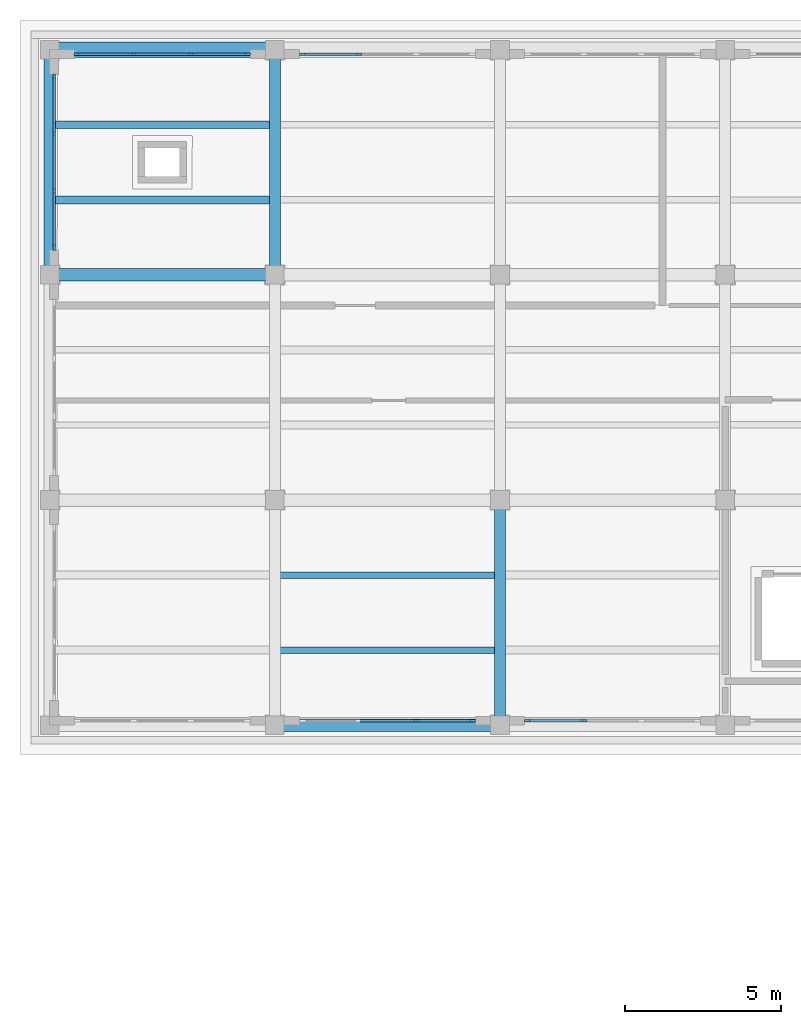
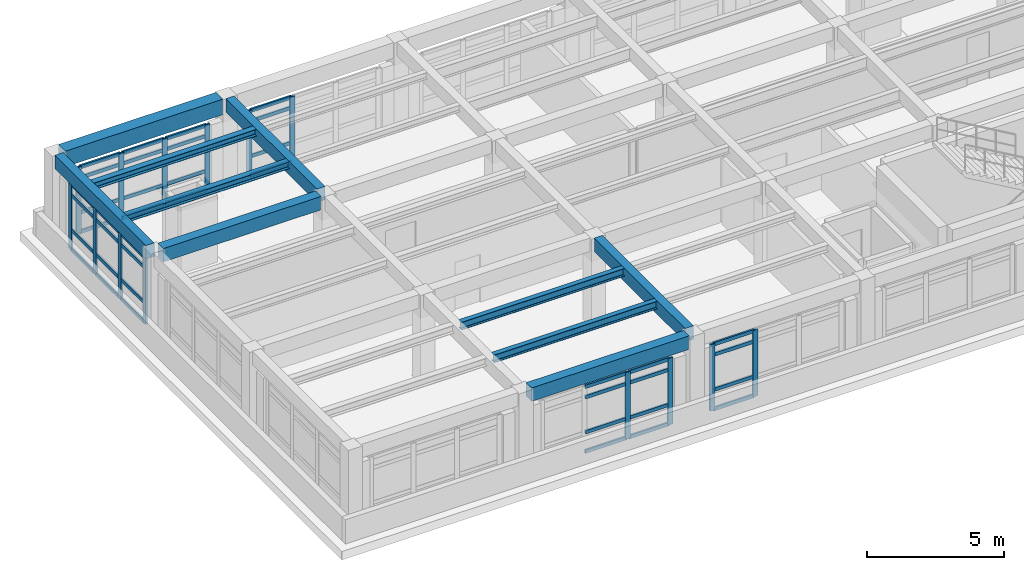
# One storey, part 3 of 19: 54 members, 10 beams, 5 elements without a shape of their own.
"""IFC4 building model written with IfcOpenShell, lengths in metres."""

from ifc_helpers import new_model, si_unit, direction, frame, origin, origin_2d, place, context, subcontext, project, spatial, rectangle, i_section, extrude, material, layer, layer_set, material_profile, profile_set, type_object, element, aggregate, save


model = new_model("IFC4")

# Units and contexts
model_context = context("Model", 3, precision=1e-05, world=origin(), true_north=direction((0.0, 1.0)))
body_context = subcontext(model_context, "Body", "Model", "MODEL_VIEW")
ifc_project = project(units=[si_unit("LENGTHUNIT", "METRE"), si_unit("AREAUNIT", "SQUARE_METRE"), si_unit("VOLUMEUNIT", "CUBIC_METRE"), si_unit("PLANEANGLEUNIT", "RADIAN"), si_unit("MASSUNIT", "GRAM", prefix="KILO")], contexts=[model_context])

# Site, building, storey
site_placement = place(None, origin())
site = spatial("IfcSite", under=ifc_project, at=site_placement, CompositionType="ELEMENT")
building_placement = place(site_placement, origin())
building = spatial("IfcBuilding", under=site, at=building_placement, Name="Solenvale Faculty of Natural Sciences", CompositionType="ELEMENT")
storey_placement = place(building_placement, frame((0.0, 0.0, 27.0)))
storey = spatial("IfcBuildingStorey", under=building, at=storey_placement, Name="L06", CompositionType="ELEMENT", Elevation=27.0)

# Beams
ifc_material_1 = material(Name="Concrete 40 MPa", Category="concrete")
ifc_material_profile_1 = material_profile(ifc_material_1, rectangle(XDim=0.35009765625, YDim=0.60009765625, at=origin_2d()), Name="RC-BM-350x600")
ifc_profile_set_1 = profile_set([ifc_material_profile_1], Name="Concrete 40 MPa")
beam_type_1 = type_object("IfcBeamType", Name="BM-RC-350x600", PredefinedType="BEAM", material=ifc_profile_set_1)
for number, where, z_axis, x_axis, name in (
    (1, (79.199951171875, 108.280029296875, 3.6201171875), (0.0, 1.0, 0.0), (-1.0, 0.0, 0.0), "L06 Y-Girder X79.2 (108.0..115.2)"),
    (2, (86.39990234375, 108.280029296875, 3.6201171875), (0.0, 1.0, 0.0), (-1.0, 0.0, 0.0), "L06 Y-Girder X86.4 (108.0..115.2)"),
):
    element("IfcBeam", number, at=place(storey_placement, frame(where, z_axis=z_axis, x_axis=x_axis)), inside=storey, type_object=beam_type_1, Name=name, PredefinedType="BEAM", context=body_context, shape_type="SweptSolid", body=[
        extrude(rectangle(XDim=0.35009765625, YDim=0.60009765625, at=origin_2d()), origin(), (0.0, 0.0, 1.0), 6.639892578125),
    ])
beam_1_placement = place(storey_placement, frame((93.60009765625, 93.8798828125, 3.6201171875), z_axis=(0.0, 1.0, 0.0), x_axis=(-1.0, 0.0, 0.0)))
element("IfcBeam", 3, at=beam_1_placement, inside=storey, type_object=beam_type_1, Name="L06 Y-Girder X93.6 (93.6..100.8)", PredefinedType="BEAM", context=body_context, shape_type="SweptSolid", body=[
    extrude(rectangle(XDim=0.35009765625, YDim=0.60009765625, at=origin_2d()), origin(), (0.0, 0.0, 1.0), 6.64013671875),
])
ifc_material_profile_2 = material_profile(ifc_material_1, rectangle(XDim=0.39990234375, YDim=0.60009765625, at=origin_2d()), Name="RC-BM-400x600")
ifc_profile_set_2 = profile_set([ifc_material_profile_2], Name="Concrete 40 MPa")
beam_type_2 = type_object("IfcBeamType", Name="BM-RC-400x600", PredefinedType="BEAM", material=ifc_profile_set_2)
for number, where, z_axis, x_axis, name in (
    (4, (86.679931640625, 93.60009765625, 3.6201171875), (1.0, 0.0, 0.0), (0.0, 1.0, 0.0), "L06 X-Girder Y93.6 (86.4..93.6)"),
    (5, (79.47998046875, 108.0, 3.6201171875), (1.0, 0.0, 0.0), (0.0, 1.0, 0.0), "L06 X-Girder Y108.0 (79.2..86.4)"),
):
    element("IfcBeam", number, at=place(storey_placement, frame(where, z_axis=z_axis, x_axis=x_axis)), inside=storey, type_object=beam_type_2, Name=name, PredefinedType="BEAM", context=body_context, shape_type="SweptSolid", body=[
        extrude(rectangle(XDim=0.39990234375, YDim=0.60009765625, at=origin_2d()), origin(), (0.0, 0.0, 1.0), 6.64013671875),
    ])
ifc_material_2 = material(Name="Precast concrete 40 MPa", Category="concrete")
ifc_material_profile_3 = material_profile(ifc_material_2, rectangle(XDim=0.5, YDim=0.699951171875, at=origin_2d()), Name="RC-BM-500x700")
ifc_profile_set_3 = profile_set([ifc_material_profile_3], Name="Precast concrete 40 MPa")
beam_type_3 = type_object("IfcBeamType", Name="BM-SPN-PRC-700", PredefinedType="SPANDREL", material=ifc_profile_set_3)
beam_2_placement = place(storey_placement, frame((79.47998046875, 115.199951171875, 3.570068359375), z_axis=(1.0, 0.0, 0.0), x_axis=(0.0, 1.0, 0.0)))
element("IfcBeam", 6, at=beam_2_placement, inside=storey, type_object=beam_type_3, Name="L06 X-Girder Y115.2 (79.2..86.4)", PredefinedType="SPANDREL", context=body_context, shape_type="SweptSolid", body=[
    extrude(rectangle(XDim=0.5, YDim=0.699951171875, at=origin_2d()), origin(), (0.0, 0.0, 1.0), 6.64013671875),
])
ifc_material_3 = material(Name="Steel S355", Category="steel")
ifc_material_profile_4 = material_profile(ifc_material_3, i_section(OverallWidth=0.25390625, OverallDepth=0.305908203125, WebThickness=0.0087890625, FlangeThickness=0.0146484375, FilletRadius=0.014892578125, at=origin_2d()), Name="W310x79")
ifc_profile_set_4 = profile_set([ifc_material_profile_4], Name="Steel S355")
beam_type_4 = type_object("IfcBeamType", Name="BM-STL-W310x79", PredefinedType="JOIST", material=ifc_profile_set_4)
for number, where, z_axis, x_axis, name in (
    (7, (79.35498046875, 110.39990234375, 3.76708984375), (1.0, 0.0, 0.0), (0.0, 1.0, 0.0), "L06 Composite Floor Joist (12,16).1"),
    (8, (79.35498046875, 112.800048828125, 3.76708984375), (1.0, 0.0, 0.0), (0.0, 1.0, 0.0), "L06 Composite Floor Joist (12,16).2"),
):
    element("IfcBeam", number, at=place(storey_placement, frame(where, z_axis=z_axis, x_axis=x_axis)), inside=storey, type_object=beam_type_4, Name=name, PredefinedType="JOIST", context=body_context, shape_type="SweptSolid", body=[
        extrude(i_section(OverallWidth=0.25390625, OverallDepth=0.305908203125, WebThickness=0.0087890625, FlangeThickness=0.0146484375, FilletRadius=0.014892578125, at=origin_2d()), origin(), (0.0, 0.0, 1.0), 6.89013671875),
    ])
ifc_material_profile_5 = material_profile(ifc_material_3, i_section(OverallWidth=0.2041015625, OverallDepth=0.35009765625, WebThickness=0.008544921875, FlangeThickness=0.01513671875, FilletRadius=0.014892578125, at=origin_2d()), Name="W360x72")
ifc_profile_set_5 = profile_set([ifc_material_profile_5], Name="Steel S355")
beam_type_5 = type_object("IfcBeamType", Name="BM-STL-W360x72", PredefinedType="JOIST", material=ifc_profile_set_5)
for number, where, z_axis, x_axis, name in (
    (9, (86.554931640625, 96.0, 3.7451171875), (1.0, 0.0, 0.0), (0.0, 1.0, 0.0), "L06 Composite Floor Joist (13,14).1"),
    (10, (86.554931640625, 98.39990234375, 3.7451171875), (1.0, 0.0, 0.0), (0.0, 1.0, 0.0), "L06 Composite Floor Joist (13,14).2"),
):
    element("IfcBeam", number, at=place(storey_placement, frame(where, z_axis=z_axis, x_axis=x_axis)), inside=storey, type_object=beam_type_5, Name=name, PredefinedType="JOIST", context=body_context, shape_type="SweptSolid", body=[
        extrude(i_section(OverallWidth=0.2041015625, OverallDepth=0.35009765625, WebThickness=0.008544921875, FlangeThickness=0.01513671875, FilletRadius=0.014892578125, at=origin_2d()), origin(), (0.0, 0.0, 1.0), 6.89013671875),
    ])

# Curtain wall, members
ifc_material_4 = material(Name="Anodised bronze aluminium", Category="aluminium")
ifc_layer = layer(ifc_material_4, 0.179931640625)
ifc_layer_set = layer_set([ifc_layer], Name="Anodised bronze aluminium")
curtain_wall_type = type_object("IfcCurtainWallType", Name="CW-TWR-MOD", PredefinedType="USERDEFINED", material=ifc_layer_set)
curtain_wall_1_placement = place(storey_placement, origin())
curtain_wall_1 = element("IfcCurtainWall", 11, at=curtain_wall_1_placement, inside=storey, type_object=curtain_wall_type, Name="L06 Curtain Wall CW-L06-P1-E2-B9", ObjectType="UNITISED CURTAIN WALL", PredefinedType="USERDEFINED")
ifc_material_profile_6 = material_profile(ifc_material_4, rectangle(XDim=0.074951171875, YDim=0.2099609375, at=origin_2d()), Name="ALU-MUL-75x210")
ifc_profile_set_6 = profile_set([ifc_material_profile_6], Name="Anodised bronze aluminium")
member_type_1 = type_object("IfcMemberType", Name="CWM-ALU-75x210", PredefinedType="MULLION", material=ifc_profile_set_6)
member_1_placement = place(storey_placement, frame((89.083251953125, 115.0576171875, 0.0), z_axis=(0.0, 0.0, 1.0), x_axis=(0.0, -1.0, 0.0)))
member_1 = element("IfcMember", 12, at=member_1_placement, type_object=member_type_1, Name="CW-04 mullion 3", PredefinedType="MULLION", context=body_context, shape_type="SweptSolid", body=[
    extrude(rectangle(XDim=0.074951171875, YDim=0.2099609375, at=origin_2d()), origin(), (0.0, 0.0, 1.0), 2.9599609375),
])
member_2_placement = place(storey_placement, frame((87.28759765625, 115.0576171875, 0.0), z_axis=(0.0, 0.0, 1.0), x_axis=(0.0, -1.0, 0.0)))
member_2 = element("IfcMember", 13, at=member_2_placement, type_object=member_type_1, Name="CW-04 mullion 4", PredefinedType="MULLION", context=body_context, shape_type="SweptSolid", body=[
    extrude(rectangle(XDim=0.074951171875, YDim=0.2099609375, at=origin_2d()), origin(), (0.0, 0.0, 1.0), 2.9599609375),
])

curtain_wall_2_placement = place(storey_placement, origin())
curtain_wall_2 = element("IfcCurtainWall", 14, at=curtain_wall_2_placement, inside=storey, type_object=curtain_wall_type, Name="L06 Curtain Wall CW-L06-P1-E2-B10", ObjectType="UNITISED CURTAIN WALL", PredefinedType="USERDEFINED")
member_3_placement = place(storey_placement, frame((85.512451171875, 115.0576171875, 0.0), z_axis=(0.0, 0.0, 1.0), x_axis=(0.0, -1.0, 0.0)))
member_3 = element("IfcMember", 15, at=member_3_placement, type_object=member_type_1, Name="CW-04 mullion 1", PredefinedType="MULLION", context=body_context, shape_type="SweptSolid", body=[
    extrude(rectangle(XDim=0.074951171875, YDim=0.2099609375, at=origin_2d()), origin(), (0.0, 0.0, 1.0), 2.9599609375),
])
member_4_placement = place(storey_placement, frame((83.716552734375, 115.0576171875, 0.0), z_axis=(0.0, 0.0, 1.0), x_axis=(0.0, -1.0, 0.0)))
member_4 = element("IfcMember", 16, at=member_4_placement, type_object=member_type_1, Name="CW-04 mullion 2", PredefinedType="MULLION", context=body_context, shape_type="SweptSolid", body=[
    extrude(rectangle(XDim=0.074951171875, YDim=0.2099609375, at=origin_2d()), origin(), (0.0, 0.0, 1.0), 2.9599609375),
])
member_5_placement = place(storey_placement, frame((81.88330078125, 115.0576171875, 0.0), z_axis=(0.0, 0.0, 1.0), x_axis=(0.0, -1.0, 0.0)))
member_5 = element("IfcMember", 17, at=member_5_placement, type_object=member_type_1, Name="CW-04 mullion 3", PredefinedType="MULLION", context=body_context, shape_type="SweptSolid", body=[
    extrude(rectangle(XDim=0.074951171875, YDim=0.2099609375, at=origin_2d()), origin(), (0.0, 0.0, 1.0), 2.9599609375),
])
member_6_placement = place(storey_placement, frame((80.08740234375, 115.0576171875, 0.0), z_axis=(0.0, 0.0, 1.0), x_axis=(0.0, -1.0, 0.0)))
member_6 = element("IfcMember", 18, at=member_6_placement, type_object=member_type_1, Name="CW-04 mullion 4", PredefinedType="MULLION", context=body_context, shape_type="SweptSolid", body=[
    extrude(rectangle(XDim=0.074951171875, YDim=0.2099609375, at=origin_2d()), origin(), (0.0, 0.0, 1.0), 2.9599609375),
])

curtain_wall_3_placement = place(storey_placement, origin())
curtain_wall_3 = element("IfcCurtainWall", 19, at=curtain_wall_3_placement, inside=storey, type_object=curtain_wall_type, Name="L06 Curtain Wall CW-L06-P1-E3-B1", ObjectType="UNITISED CURTAIN WALL", PredefinedType="USERDEFINED")
member_7_placement = place(storey_placement, frame((79.342529296875, 114.3125, 0.0), z_axis=(0.0, 0.0, 1.0), x_axis=(1.0, 0.0, 0.0)))
member_7 = element("IfcMember", 20, at=member_7_placement, type_object=member_type_1, Name="CW-04 mullion 1", PredefinedType="MULLION", context=body_context, shape_type="SweptSolid", body=[
    extrude(rectangle(XDim=0.074951171875, YDim=0.2099609375, at=origin_2d()), origin(), (0.0, 0.0, 1.0), 2.9599609375),
])
member_8_placement = place(storey_placement, frame((79.342529296875, 112.5166015625, 0.0), z_axis=(0.0, 0.0, 1.0), x_axis=(1.0, 0.0, 0.0)))
member_8 = element("IfcMember", 21, at=member_8_placement, type_object=member_type_1, Name="CW-04 mullion 2", PredefinedType="MULLION", context=body_context, shape_type="SweptSolid", body=[
    extrude(rectangle(XDim=0.074951171875, YDim=0.2099609375, at=origin_2d()), origin(), (0.0, 0.0, 1.0), 2.9599609375),
])
member_9_placement = place(storey_placement, frame((79.342529296875, 110.683349609375, 0.0), z_axis=(0.0, 0.0, 1.0), x_axis=(1.0, 0.0, 0.0)))
member_9 = element("IfcMember", 22, at=member_9_placement, type_object=member_type_1, Name="CW-04 mullion 3", PredefinedType="MULLION", context=body_context, shape_type="SweptSolid", body=[
    extrude(rectangle(XDim=0.074951171875, YDim=0.2099609375, at=origin_2d()), origin(), (0.0, 0.0, 1.0), 2.9599609375),
])
member_10_placement = place(storey_placement, frame((79.342529296875, 108.887451171875, 0.0), z_axis=(0.0, 0.0, 1.0), x_axis=(1.0, 0.0, 0.0)))
member_10 = element("IfcMember", 23, at=member_10_placement, type_object=member_type_1, Name="CW-04 mullion 4", PredefinedType="MULLION", context=body_context, shape_type="SweptSolid", body=[
    extrude(rectangle(XDim=0.074951171875, YDim=0.2099609375, at=origin_2d()), origin(), (0.0, 0.0, 1.0), 2.9599609375),
])

curtain_wall_4_placement = place(storey_placement, origin())
curtain_wall_4 = element("IfcCurtainWall", 24, at=curtain_wall_4_placement, inside=storey, type_object=curtain_wall_type, Name="L06 Curtain Wall CW-L06-P1-E4-B2", ObjectType="UNITISED CURTAIN WALL", PredefinedType="USERDEFINED")
member_11_placement = place(storey_placement, frame((90.916748046875, 93.742431640625, 0.0), z_axis=(0.0, 0.0, 1.0), x_axis=(0.0, 1.0, 0.0)))
member_11 = element("IfcMember", 25, at=member_11_placement, type_object=member_type_1, Name="CW-04 mullion 3", PredefinedType="MULLION", context=body_context, shape_type="SweptSolid", body=[
    extrude(rectangle(XDim=0.074951171875, YDim=0.2099609375, at=origin_2d()), origin(), (0.0, 0.0, 1.0), 2.9599609375),
])
member_12_placement = place(storey_placement, frame((92.71240234375, 93.742431640625, 0.0), z_axis=(0.0, 0.0, 1.0), x_axis=(0.0, 1.0, 0.0)))
member_12 = element("IfcMember", 26, at=member_12_placement, type_object=member_type_1, Name="CW-04 mullion 4", PredefinedType="MULLION", context=body_context, shape_type="SweptSolid", body=[
    extrude(rectangle(XDim=0.074951171875, YDim=0.2099609375, at=origin_2d()), origin(), (0.0, 0.0, 1.0), 2.9599609375),
])

curtain_wall_5_placement = place(storey_placement, origin())
curtain_wall_5 = element("IfcCurtainWall", 27, at=curtain_wall_5_placement, inside=storey, type_object=curtain_wall_type, Name="L06 Curtain Wall CW-L06-P1-E4-B3", ObjectType="UNITISED CURTAIN WALL", PredefinedType="USERDEFINED")
member_13_placement = place(storey_placement, frame((94.487548828125, 93.742431640625, 0.0), z_axis=(0.0, 0.0, 1.0), x_axis=(0.0, 1.0, 0.0)))
member_13 = element("IfcMember", 28, at=member_13_placement, type_object=member_type_1, Name="CW-04 mullion 1", PredefinedType="MULLION", context=body_context, shape_type="SweptSolid", body=[
    extrude(rectangle(XDim=0.074951171875, YDim=0.2099609375, at=origin_2d()), origin(), (0.0, 0.0, 1.0), 2.9599609375),
])
member_14_placement = place(storey_placement, frame((96.283447265625, 93.742431640625, 0.0), z_axis=(0.0, 0.0, 1.0), x_axis=(0.0, 1.0, 0.0)))
member_14 = element("IfcMember", 29, at=member_14_placement, type_object=member_type_1, Name="CW-04 mullion 2", PredefinedType="MULLION", context=body_context, shape_type="SweptSolid", body=[
    extrude(rectangle(XDim=0.074951171875, YDim=0.2099609375, at=origin_2d()), origin(), (0.0, 0.0, 1.0), 2.9599609375),
])

# Member
ifc_material_profile_7 = material_profile(ifc_material_4, rectangle(XDim=0.074951171875, YDim=0.155029296875, at=origin_2d()), Name="ALU-TRN-75x155")
ifc_profile_set_7 = profile_set([ifc_material_profile_7], Name="Anodised bronze aluminium")
member_type_2 = type_object("IfcMemberType", Name="CWT-ALU-75x155", PredefinedType="USERDEFINED", material=ifc_profile_set_7)
member_15_placement = place(storey_placement, frame((89.0458984375, 115.0576171875, 0.03759765625), z_axis=(-1.0, 0.0, 0.0), x_axis=(0.0, -1.0, 0.0)))
member_15 = element("IfcMember", 30, at=member_15_placement, type_object=member_type_2, Name="CW-04 transom 3.1", ObjectType="TRANSOM", PredefinedType="USERDEFINED", context=body_context, shape_type="SweptSolid", body=[
    extrude(rectangle(XDim=0.074951171875, YDim=0.155029296875, at=origin_2d()), origin(), (0.0, 0.0, 1.0), 1.720947265625),
])

member_16_placement = place(storey_placement, frame((89.0458984375, 115.0576171875, 0.89990234375), z_axis=(-1.0, 0.0, 0.0), x_axis=(0.0, -1.0, 0.0)))
member_16 = element("IfcMember", 31, at=member_16_placement, type_object=member_type_2, Name="CW-04 transom 3.2", ObjectType="TRANSOM", PredefinedType="USERDEFINED", context=body_context, shape_type="SweptSolid", body=[
    extrude(rectangle(XDim=0.074951171875, YDim=0.155029296875, at=origin_2d()), origin(), (0.0, 0.0, 1.0), 1.720947265625),
])

member_17_placement = place(storey_placement, frame((89.0458984375, 115.0576171875, 2.4599609375), z_axis=(-1.0, 0.0, 0.0), x_axis=(0.0, -1.0, 0.0)))
member_17 = element("IfcMember", 32, at=member_17_placement, type_object=member_type_2, Name="CW-04 transom 3.3", ObjectType="TRANSOM", PredefinedType="USERDEFINED", context=body_context, shape_type="SweptSolid", body=[
    extrude(rectangle(XDim=0.074951171875, YDim=0.155029296875, at=origin_2d()), origin(), (0.0, 0.0, 1.0), 1.720947265625),
])

member_18_placement = place(storey_placement, frame((89.0458984375, 115.0576171875, 2.922607421875), z_axis=(-1.0, 0.0, 0.0), x_axis=(0.0, -1.0, 0.0)))
member_18 = element("IfcMember", 33, at=member_18_placement, type_object=member_type_2, Name="CW-04 transom 3.4", ObjectType="TRANSOM", PredefinedType="USERDEFINED", context=body_context, shape_type="SweptSolid", body=[
    extrude(rectangle(XDim=0.074951171875, YDim=0.155029296875, at=origin_2d()), origin(), (0.0, 0.0, 1.0), 1.720947265625),
])

aggregate(curtain_wall_1, [member_1, member_2, member_15, member_16, member_17, member_18])

member_19_placement = place(storey_placement, frame((85.47509765625, 115.0576171875, 0.03759765625), z_axis=(-1.0, 0.0, 0.0), x_axis=(0.0, -1.0, 0.0)))
member_19 = element("IfcMember", 34, at=member_19_placement, type_object=member_type_2, Name="CW-04 transom 1.1", ObjectType="TRANSOM", PredefinedType="USERDEFINED", context=body_context, shape_type="SweptSolid", body=[
    extrude(rectangle(XDim=0.074951171875, YDim=0.155029296875, at=origin_2d()), origin(), (0.0, 0.0, 1.0), 1.720947265625),
])

member_20_placement = place(storey_placement, frame((85.47509765625, 115.0576171875, 0.89990234375), z_axis=(-1.0, 0.0, 0.0), x_axis=(0.0, -1.0, 0.0)))
member_20 = element("IfcMember", 35, at=member_20_placement, type_object=member_type_2, Name="CW-04 transom 1.2", ObjectType="TRANSOM", PredefinedType="USERDEFINED", context=body_context, shape_type="SweptSolid", body=[
    extrude(rectangle(XDim=0.074951171875, YDim=0.155029296875, at=origin_2d()), origin(), (0.0, 0.0, 1.0), 1.720947265625),
])

member_21_placement = place(storey_placement, frame((85.47509765625, 115.0576171875, 2.4599609375), z_axis=(-1.0, 0.0, 0.0), x_axis=(0.0, -1.0, 0.0)))
member_21 = element("IfcMember", 36, at=member_21_placement, type_object=member_type_2, Name="CW-04 transom 1.3", ObjectType="TRANSOM", PredefinedType="USERDEFINED", context=body_context, shape_type="SweptSolid", body=[
    extrude(rectangle(XDim=0.074951171875, YDim=0.155029296875, at=origin_2d()), origin(), (0.0, 0.0, 1.0), 1.720947265625),
])

member_22_placement = place(storey_placement, frame((85.47509765625, 115.0576171875, 2.922607421875), z_axis=(-1.0, 0.0, 0.0), x_axis=(0.0, -1.0, 0.0)))
member_22 = element("IfcMember", 37, at=member_22_placement, type_object=member_type_2, Name="CW-04 transom 1.4", ObjectType="TRANSOM", PredefinedType="USERDEFINED", context=body_context, shape_type="SweptSolid", body=[
    extrude(rectangle(XDim=0.074951171875, YDim=0.155029296875, at=origin_2d()), origin(), (0.0, 0.0, 1.0), 1.720947265625),
])

member_23_placement = place(storey_placement, frame((83.67919921875, 115.0576171875, 0.03759765625), z_axis=(-1.0, 0.0, 0.0), x_axis=(0.0, -1.0, 0.0)))
member_23 = element("IfcMember", 38, at=member_23_placement, type_object=member_type_2, Name="CW-04 transom 2.1", ObjectType="TRANSOM", PredefinedType="USERDEFINED", context=body_context, shape_type="SweptSolid", body=[
    extrude(rectangle(XDim=0.074951171875, YDim=0.155029296875, at=origin_2d()), origin(), (0.0, 0.0, 1.0), 1.75830078125),
])

member_24_placement = place(storey_placement, frame((83.67919921875, 115.0576171875, 0.89990234375), z_axis=(-1.0, 0.0, 0.0), x_axis=(0.0, -1.0, 0.0)))
member_24 = element("IfcMember", 39, at=member_24_placement, type_object=member_type_2, Name="CW-04 transom 2.2", ObjectType="TRANSOM", PredefinedType="USERDEFINED", context=body_context, shape_type="SweptSolid", body=[
    extrude(rectangle(XDim=0.074951171875, YDim=0.155029296875, at=origin_2d()), origin(), (0.0, 0.0, 1.0), 1.75830078125),
])

member_25_placement = place(storey_placement, frame((83.67919921875, 115.0576171875, 2.4599609375), z_axis=(-1.0, 0.0, 0.0), x_axis=(0.0, -1.0, 0.0)))
member_25 = element("IfcMember", 40, at=member_25_placement, type_object=member_type_2, Name="CW-04 transom 2.3", ObjectType="TRANSOM", PredefinedType="USERDEFINED", context=body_context, shape_type="SweptSolid", body=[
    extrude(rectangle(XDim=0.074951171875, YDim=0.155029296875, at=origin_2d()), origin(), (0.0, 0.0, 1.0), 1.75830078125),
])

member_26_placement = place(storey_placement, frame((83.67919921875, 115.0576171875, 2.922607421875), z_axis=(-1.0, 0.0, 0.0), x_axis=(0.0, -1.0, 0.0)))
member_26 = element("IfcMember", 41, at=member_26_placement, type_object=member_type_2, Name="CW-04 transom 2.4", ObjectType="TRANSOM", PredefinedType="USERDEFINED", context=body_context, shape_type="SweptSolid", body=[
    extrude(rectangle(XDim=0.074951171875, YDim=0.155029296875, at=origin_2d()), origin(), (0.0, 0.0, 1.0), 1.75830078125),
])

member_27_placement = place(storey_placement, frame((81.845947265625, 115.0576171875, 0.03759765625), z_axis=(-1.0, 0.0, 0.0), x_axis=(0.0, -1.0, 0.0)))
member_27 = element("IfcMember", 42, at=member_27_placement, type_object=member_type_2, Name="CW-04 transom 3.1", ObjectType="TRANSOM", PredefinedType="USERDEFINED", context=body_context, shape_type="SweptSolid", body=[
    extrude(rectangle(XDim=0.074951171875, YDim=0.155029296875, at=origin_2d()), origin(), (0.0, 0.0, 1.0), 1.720947265625),
])

member_28_placement = place(storey_placement, frame((81.845947265625, 115.0576171875, 0.89990234375), z_axis=(-1.0, 0.0, 0.0), x_axis=(0.0, -1.0, 0.0)))
member_28 = element("IfcMember", 43, at=member_28_placement, type_object=member_type_2, Name="CW-04 transom 3.2", ObjectType="TRANSOM", PredefinedType="USERDEFINED", context=body_context, shape_type="SweptSolid", body=[
    extrude(rectangle(XDim=0.074951171875, YDim=0.155029296875, at=origin_2d()), origin(), (0.0, 0.0, 1.0), 1.720947265625),
])

member_29_placement = place(storey_placement, frame((81.845947265625, 115.0576171875, 2.4599609375), z_axis=(-1.0, 0.0, 0.0), x_axis=(0.0, -1.0, 0.0)))
member_29 = element("IfcMember", 44, at=member_29_placement, type_object=member_type_2, Name="CW-04 transom 3.3", ObjectType="TRANSOM", PredefinedType="USERDEFINED", context=body_context, shape_type="SweptSolid", body=[
    extrude(rectangle(XDim=0.074951171875, YDim=0.155029296875, at=origin_2d()), origin(), (0.0, 0.0, 1.0), 1.720947265625),
])

member_30_placement = place(storey_placement, frame((81.845947265625, 115.0576171875, 2.922607421875), z_axis=(-1.0, 0.0, 0.0), x_axis=(0.0, -1.0, 0.0)))
member_30 = element("IfcMember", 45, at=member_30_placement, type_object=member_type_2, Name="CW-04 transom 3.4", ObjectType="TRANSOM", PredefinedType="USERDEFINED", context=body_context, shape_type="SweptSolid", body=[
    extrude(rectangle(XDim=0.074951171875, YDim=0.155029296875, at=origin_2d()), origin(), (0.0, 0.0, 1.0), 1.720947265625),
])

aggregate(curtain_wall_2, [member_3, member_4, member_5, member_6, member_19, member_20, member_21, member_22, member_23, member_24, member_25, member_26, member_27, member_28, member_29, member_30])

member_31_placement = place(storey_placement, frame((79.342529296875, 114.27490234375, 0.03759765625), z_axis=(0.0, -1.0, 0.0), x_axis=(1.0, 0.0, 0.0)))
member_31 = element("IfcMember", 46, at=member_31_placement, type_object=member_type_2, Name="CW-04 transom 1.1", ObjectType="TRANSOM", PredefinedType="USERDEFINED", context=body_context, shape_type="SweptSolid", body=[
    extrude(rectangle(XDim=0.074951171875, YDim=0.155029296875, at=origin_2d()), origin(), (0.0, 0.0, 1.0), 1.720703125),
])

member_32_placement = place(storey_placement, frame((79.342529296875, 114.27490234375, 0.89990234375), z_axis=(0.0, -1.0, 0.0), x_axis=(1.0, 0.0, 0.0)))
member_32 = element("IfcMember", 47, at=member_32_placement, type_object=member_type_2, Name="CW-04 transom 1.2", ObjectType="TRANSOM", PredefinedType="USERDEFINED", context=body_context, shape_type="SweptSolid", body=[
    extrude(rectangle(XDim=0.074951171875, YDim=0.155029296875, at=origin_2d()), origin(), (0.0, 0.0, 1.0), 1.720703125),
])

member_33_placement = place(storey_placement, frame((79.342529296875, 114.27490234375, 2.4599609375), z_axis=(0.0, -1.0, 0.0), x_axis=(1.0, 0.0, 0.0)))
member_33 = element("IfcMember", 48, at=member_33_placement, type_object=member_type_2, Name="CW-04 transom 1.3", ObjectType="TRANSOM", PredefinedType="USERDEFINED", context=body_context, shape_type="SweptSolid", body=[
    extrude(rectangle(XDim=0.074951171875, YDim=0.155029296875, at=origin_2d()), origin(), (0.0, 0.0, 1.0), 1.720703125),
])

member_34_placement = place(storey_placement, frame((79.342529296875, 114.27490234375, 2.922607421875), z_axis=(0.0, -1.0, 0.0), x_axis=(1.0, 0.0, 0.0)))
member_34 = element("IfcMember", 49, at=member_34_placement, type_object=member_type_2, Name="CW-04 transom 1.4", ObjectType="TRANSOM", PredefinedType="USERDEFINED", context=body_context, shape_type="SweptSolid", body=[
    extrude(rectangle(XDim=0.074951171875, YDim=0.155029296875, at=origin_2d()), origin(), (0.0, 0.0, 1.0), 1.720703125),
])

member_35_placement = place(storey_placement, frame((79.342529296875, 112.479248046875, 0.03759765625), z_axis=(0.0, -1.0, 0.0), x_axis=(1.0, 0.0, 0.0)))
member_35 = element("IfcMember", 50, at=member_35_placement, type_object=member_type_2, Name="CW-04 transom 2.1", ObjectType="TRANSOM", PredefinedType="USERDEFINED", context=body_context, shape_type="SweptSolid", body=[
    extrude(rectangle(XDim=0.074951171875, YDim=0.155029296875, at=origin_2d()), origin(), (0.0, 0.0, 1.0), 1.75830078125),
])

member_36_placement = place(storey_placement, frame((79.342529296875, 112.479248046875, 0.89990234375), z_axis=(0.0, -1.0, 0.0), x_axis=(1.0, 0.0, 0.0)))
member_36 = element("IfcMember", 51, at=member_36_placement, type_object=member_type_2, Name="CW-04 transom 2.2", ObjectType="TRANSOM", PredefinedType="USERDEFINED", context=body_context, shape_type="SweptSolid", body=[
    extrude(rectangle(XDim=0.074951171875, YDim=0.155029296875, at=origin_2d()), origin(), (0.0, 0.0, 1.0), 1.75830078125),
])

member_37_placement = place(storey_placement, frame((79.342529296875, 112.479248046875, 2.4599609375), z_axis=(0.0, -1.0, 0.0), x_axis=(1.0, 0.0, 0.0)))
member_37 = element("IfcMember", 52, at=member_37_placement, type_object=member_type_2, Name="CW-04 transom 2.3", ObjectType="TRANSOM", PredefinedType="USERDEFINED", context=body_context, shape_type="SweptSolid", body=[
    extrude(rectangle(XDim=0.074951171875, YDim=0.155029296875, at=origin_2d()), origin(), (0.0, 0.0, 1.0), 1.75830078125),
])

member_38_placement = place(storey_placement, frame((79.342529296875, 112.479248046875, 2.922607421875), z_axis=(0.0, -1.0, 0.0), x_axis=(1.0, 0.0, 0.0)))
member_38 = element("IfcMember", 53, at=member_38_placement, type_object=member_type_2, Name="CW-04 transom 2.4", ObjectType="TRANSOM", PredefinedType="USERDEFINED", context=body_context, shape_type="SweptSolid", body=[
    extrude(rectangle(XDim=0.074951171875, YDim=0.155029296875, at=origin_2d()), origin(), (0.0, 0.0, 1.0), 1.75830078125),
])

member_39_placement = place(storey_placement, frame((79.342529296875, 110.645751953125, 0.03759765625), z_axis=(0.0, -1.0, 0.0), x_axis=(1.0, 0.0, 0.0)))
member_39 = element("IfcMember", 54, at=member_39_placement, type_object=member_type_2, Name="CW-04 transom 3.1", ObjectType="TRANSOM", PredefinedType="USERDEFINED", context=body_context, shape_type="SweptSolid", body=[
    extrude(rectangle(XDim=0.074951171875, YDim=0.155029296875, at=origin_2d()), origin(), (0.0, 0.0, 1.0), 1.720703125),
])

member_40_placement = place(storey_placement, frame((79.342529296875, 110.645751953125, 0.89990234375), z_axis=(0.0, -1.0, 0.0), x_axis=(1.0, 0.0, 0.0)))
member_40 = element("IfcMember", 55, at=member_40_placement, type_object=member_type_2, Name="CW-04 transom 3.2", ObjectType="TRANSOM", PredefinedType="USERDEFINED", context=body_context, shape_type="SweptSolid", body=[
    extrude(rectangle(XDim=0.074951171875, YDim=0.155029296875, at=origin_2d()), origin(), (0.0, 0.0, 1.0), 1.720703125),
])

member_41_placement = place(storey_placement, frame((79.342529296875, 110.645751953125, 2.4599609375), z_axis=(0.0, -1.0, 0.0), x_axis=(1.0, 0.0, 0.0)))
member_41 = element("IfcMember", 56, at=member_41_placement, type_object=member_type_2, Name="CW-04 transom 3.3", ObjectType="TRANSOM", PredefinedType="USERDEFINED", context=body_context, shape_type="SweptSolid", body=[
    extrude(rectangle(XDim=0.074951171875, YDim=0.155029296875, at=origin_2d()), origin(), (0.0, 0.0, 1.0), 1.720703125),
])

member_42_placement = place(storey_placement, frame((79.342529296875, 110.645751953125, 2.922607421875), z_axis=(0.0, -1.0, 0.0), x_axis=(1.0, 0.0, 0.0)))
member_42 = element("IfcMember", 57, at=member_42_placement, type_object=member_type_2, Name="CW-04 transom 3.4", ObjectType="TRANSOM", PredefinedType="USERDEFINED", context=body_context, shape_type="SweptSolid", body=[
    extrude(rectangle(XDim=0.074951171875, YDim=0.155029296875, at=origin_2d()), origin(), (0.0, 0.0, 1.0), 1.720703125),
])

aggregate(curtain_wall_3, [member_7, member_8, member_9, member_10, member_31, member_32, member_33, member_34, member_35, member_36, member_37, member_38, member_39, member_40, member_41, member_42])

member_43_placement = place(storey_placement, frame((89.120849609375, 93.742431640625, 0.03759765625), z_axis=(1.0, 0.0, 0.0), x_axis=(0.0, 1.0, 0.0)))
member_43 = element("IfcMember", 58, at=member_43_placement, type_object=member_type_2, Name="CW-04 transom 2.1", ObjectType="TRANSOM", PredefinedType="USERDEFINED", context=body_context, shape_type="SweptSolid", body=[
    extrude(rectangle(XDim=0.074951171875, YDim=0.155029296875, at=origin_2d()), origin(), (0.0, 0.0, 1.0), 1.75830078125),
])

member_44_placement = place(storey_placement, frame((89.120849609375, 93.742431640625, 0.89990234375), z_axis=(1.0, 0.0, 0.0), x_axis=(0.0, 1.0, 0.0)))
member_44 = element("IfcMember", 59, at=member_44_placement, type_object=member_type_2, Name="CW-04 transom 2.2", ObjectType="TRANSOM", PredefinedType="USERDEFINED", context=body_context, shape_type="SweptSolid", body=[
    extrude(rectangle(XDim=0.074951171875, YDim=0.155029296875, at=origin_2d()), origin(), (0.0, 0.0, 1.0), 1.75830078125),
])

member_45_placement = place(storey_placement, frame((89.120849609375, 93.742431640625, 2.4599609375), z_axis=(1.0, 0.0, 0.0), x_axis=(0.0, 1.0, 0.0)))
member_45 = element("IfcMember", 60, at=member_45_placement, type_object=member_type_2, Name="CW-04 transom 2.3", ObjectType="TRANSOM", PredefinedType="USERDEFINED", context=body_context, shape_type="SweptSolid", body=[
    extrude(rectangle(XDim=0.074951171875, YDim=0.155029296875, at=origin_2d()), origin(), (0.0, 0.0, 1.0), 1.75830078125),
])

member_46_placement = place(storey_placement, frame((89.120849609375, 93.742431640625, 2.922607421875), z_axis=(1.0, 0.0, 0.0), x_axis=(0.0, 1.0, 0.0)))
member_46 = element("IfcMember", 61, at=member_46_placement, type_object=member_type_2, Name="CW-04 transom 2.4", ObjectType="TRANSOM", PredefinedType="USERDEFINED", context=body_context, shape_type="SweptSolid", body=[
    extrude(rectangle(XDim=0.074951171875, YDim=0.155029296875, at=origin_2d()), origin(), (0.0, 0.0, 1.0), 1.75830078125),
])

member_47_placement = place(storey_placement, frame((90.9541015625, 93.742431640625, 0.03759765625), z_axis=(1.0, 0.0, 0.0), x_axis=(0.0, 1.0, 0.0)))
member_47 = element("IfcMember", 62, at=member_47_placement, type_object=member_type_2, Name="CW-04 transom 3.1", ObjectType="TRANSOM", PredefinedType="USERDEFINED", context=body_context, shape_type="SweptSolid", body=[
    extrude(rectangle(XDim=0.074951171875, YDim=0.155029296875, at=origin_2d()), origin(), (0.0, 0.0, 1.0), 1.720947265625),
])

member_48_placement = place(storey_placement, frame((90.9541015625, 93.742431640625, 0.89990234375), z_axis=(1.0, 0.0, 0.0), x_axis=(0.0, 1.0, 0.0)))
member_48 = element("IfcMember", 63, at=member_48_placement, type_object=member_type_2, Name="CW-04 transom 3.2", ObjectType="TRANSOM", PredefinedType="USERDEFINED", context=body_context, shape_type="SweptSolid", body=[
    extrude(rectangle(XDim=0.074951171875, YDim=0.155029296875, at=origin_2d()), origin(), (0.0, 0.0, 1.0), 1.720947265625),
])

member_49_placement = place(storey_placement, frame((90.9541015625, 93.742431640625, 2.4599609375), z_axis=(1.0, 0.0, 0.0), x_axis=(0.0, 1.0, 0.0)))
member_49 = element("IfcMember", 64, at=member_49_placement, type_object=member_type_2, Name="CW-04 transom 3.3", ObjectType="TRANSOM", PredefinedType="USERDEFINED", context=body_context, shape_type="SweptSolid", body=[
    extrude(rectangle(XDim=0.074951171875, YDim=0.155029296875, at=origin_2d()), origin(), (0.0, 0.0, 1.0), 1.720947265625),
])

member_50_placement = place(storey_placement, frame((90.9541015625, 93.742431640625, 2.922607421875), z_axis=(1.0, 0.0, 0.0), x_axis=(0.0, 1.0, 0.0)))
member_50 = element("IfcMember", 65, at=member_50_placement, type_object=member_type_2, Name="CW-04 transom 3.4", ObjectType="TRANSOM", PredefinedType="USERDEFINED", context=body_context, shape_type="SweptSolid", body=[
    extrude(rectangle(XDim=0.074951171875, YDim=0.155029296875, at=origin_2d()), origin(), (0.0, 0.0, 1.0), 1.720947265625),
])

aggregate(curtain_wall_4, [member_11, member_12, member_43, member_44, member_45, member_46, member_47, member_48, member_49, member_50])

member_51_placement = place(storey_placement, frame((94.52490234375, 93.742431640625, 0.03759765625), z_axis=(1.0, 0.0, 0.0), x_axis=(0.0, 1.0, 0.0)))
member_51 = element("IfcMember", 66, at=member_51_placement, type_object=member_type_2, Name="CW-04 transom 1.1", ObjectType="TRANSOM", PredefinedType="USERDEFINED", context=body_context, shape_type="SweptSolid", body=[
    extrude(rectangle(XDim=0.074951171875, YDim=0.155029296875, at=origin_2d()), origin(), (0.0, 0.0, 1.0), 1.720947265625),
])

member_52_placement = place(storey_placement, frame((94.52490234375, 93.742431640625, 0.89990234375), z_axis=(1.0, 0.0, 0.0), x_axis=(0.0, 1.0, 0.0)))
member_52 = element("IfcMember", 67, at=member_52_placement, type_object=member_type_2, Name="CW-04 transom 1.2", ObjectType="TRANSOM", PredefinedType="USERDEFINED", context=body_context, shape_type="SweptSolid", body=[
    extrude(rectangle(XDim=0.074951171875, YDim=0.155029296875, at=origin_2d()), origin(), (0.0, 0.0, 1.0), 1.720947265625),
])

member_53_placement = place(storey_placement, frame((94.52490234375, 93.742431640625, 2.4599609375), z_axis=(1.0, 0.0, 0.0), x_axis=(0.0, 1.0, 0.0)))
member_53 = element("IfcMember", 68, at=member_53_placement, type_object=member_type_2, Name="CW-04 transom 1.3", ObjectType="TRANSOM", PredefinedType="USERDEFINED", context=body_context, shape_type="SweptSolid", body=[
    extrude(rectangle(XDim=0.074951171875, YDim=0.155029296875, at=origin_2d()), origin(), (0.0, 0.0, 1.0), 1.720947265625),
])

member_54_placement = place(storey_placement, frame((94.52490234375, 93.742431640625, 2.922607421875), z_axis=(1.0, 0.0, 0.0), x_axis=(0.0, 1.0, 0.0)))
member_54 = element("IfcMember", 69, at=member_54_placement, type_object=member_type_2, Name="CW-04 transom 1.4", ObjectType="TRANSOM", PredefinedType="USERDEFINED", context=body_context, shape_type="SweptSolid", body=[
    extrude(rectangle(XDim=0.074951171875, YDim=0.155029296875, at=origin_2d()), origin(), (0.0, 0.0, 1.0), 1.720947265625),
])

aggregate(curtain_wall_5, [member_13, member_14, member_51, member_52, member_53, member_54])

save(model, "model.ifc")
